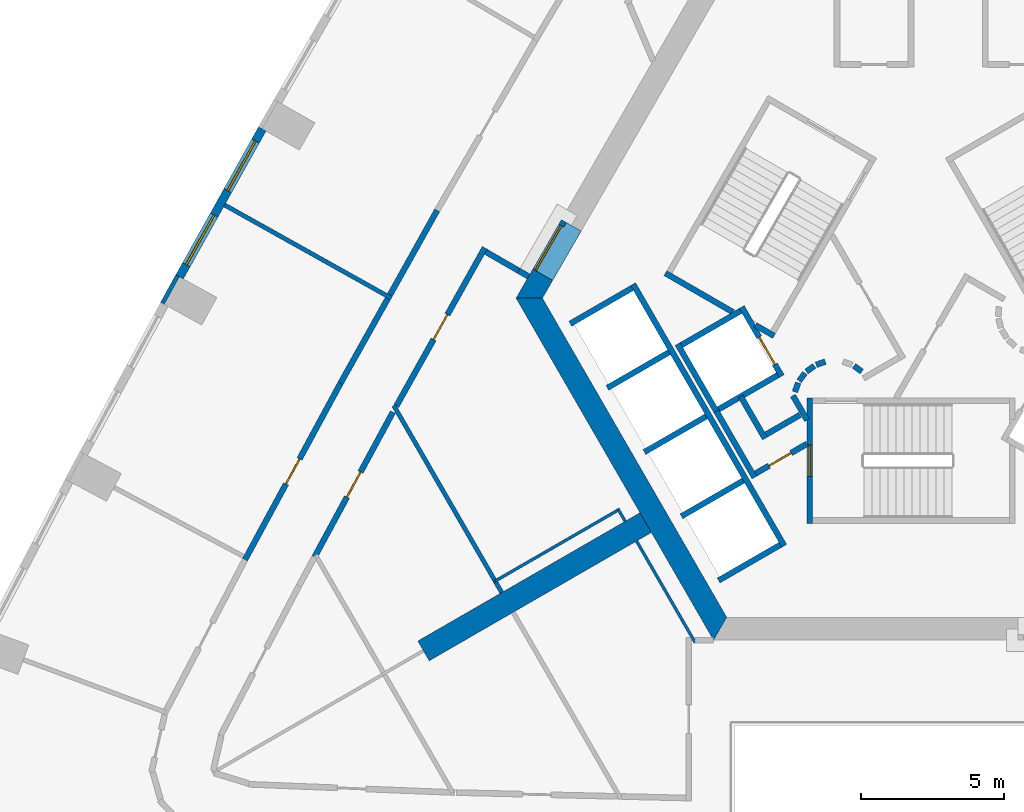
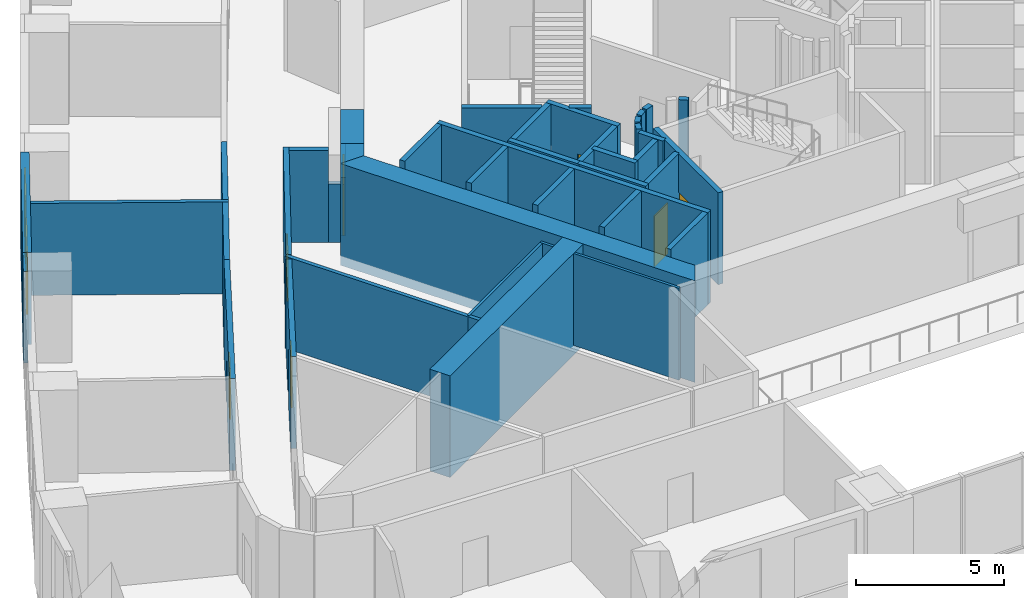
# One storey, part 5 of 12: 43 walls, 7 doors, 2 windows, 9 openings.
"""IFC4 building model written with IfcOpenShell, lengths in metres."""

from ifc_helpers import new_model, si_unit, direction, frame, frame_2d, origin, place, context, subcontext, project, spatial, polyline, rectangle, outline, extrude, material, layer, layer_set, type_object, element, fill, save


model = new_model("IFC4")

# Units and contexts
model_context = context("Model", 3, precision=1e-05, world=origin(), true_north=direction((0.0, 1.0)))
body_context = subcontext(model_context, "Body", "Model", "MODEL_VIEW")
ifc_project = project(units=[si_unit("LENGTHUNIT", "METRE"), si_unit("AREAUNIT", "SQUARE_METRE"), si_unit("VOLUMEUNIT", "CUBIC_METRE"), si_unit("PLANEANGLEUNIT", "RADIAN"), si_unit("MASSUNIT", "GRAM", prefix="KILO")], contexts=[model_context])

# Site, building, storey
site_placement = place(None, origin())
site = spatial("IfcSite", under=ifc_project, at=site_placement, CompositionType="ELEMENT")
building_placement = place(site_placement, origin())
building = spatial("IfcBuilding", under=site, at=building_placement, Name="Entoto Arch Interchange Tower", CompositionType="ELEMENT")
storey_placement = place(building_placement, frame((0.0, 0.0, 142.39990234375)))
storey = spatial("IfcBuildingStorey", under=building, at=storey_placement, Name="L31", CompositionType="ELEMENT", Elevation=142.39990234375)

# Wall
ifc_material_1 = material(Name="Concrete C50/60", Category="concrete")
ifc_layer_1 = layer(ifc_material_1, 0.800048828125)
ifc_layer_set_1 = layer_set([ifc_layer_1], Name="Concrete C50/60")
wall_type_1 = type_object("IfcWallType", Name="Buttress wall 800 C50/60", PredefinedType="SHEAR", material=ifc_layer_set_1)
wall_1_placement = place(storey_placement, frame((-9.31005859375, -5.375, -0.39990234375), z_axis=(0.0, 0.0, 1.0), x_axis=(-0.866017533419, -0.500013631625, 0.0)))
element("IfcWall", 1, at=wall_1_placement, inside=storey, type_object=wall_type_1, Name="Buttress wall SW L31", PredefinedType="SHEAR", context=body_context, shape_type="SweptSolid", body=[
    extrude(rectangle(XDim=8.999755859375, YDim=0.800048828125, at=frame_2d((4.5, 0.0))), origin(), (0.0, 0.0, 1.0), 4.199951171875),
])

# Wall, opening, door
ifc_material_2 = material(Name="Reinforced concrete C40/50", Category="concrete")
ifc_layer_2 = layer(ifc_material_2, 0.199951171875)
ifc_layer_set_2 = layer_set([ifc_layer_2], Name="Reinforced concrete C40/50")
wall_type_2 = type_object("IfcWallType", Name="CORE GAP INFILL WALL", PredefinedType="PARTITIONING", material=ifc_layer_set_2)
wall_2_placement = place(storey_placement, frame((-12.179931640625, 5.201904296875, 0.0), z_axis=(0.0, 0.0, 1.0), x_axis=(-0.50002537861, -0.866010750942, 0.0)))
wall_2 = element("IfcWall", 2, at=wall_2_placement, inside=storey, type_object=wall_type_2, Name="wall:L31:gap3", PredefinedType="PARTITIONING", context=body_context, shape_type="SweptSolid", body=[
    extrude(rectangle(XDim=2.0, YDim=0.199951171875, at=frame_2d((1.0, 0.0))), origin(), (0.0, 0.0, 1.0), 2.400146484375),
])
opening_1_placement = place(wall_2_placement, frame((0.18994140625, 0.0, 0.0)))
opening_1 = element("IfcOpeningElement", 3, at=opening_1_placement, cuts=wall_2, Name="Opening L31-D93", PredefinedType="OPENING", context=body_context, shape_type="SweptSolid", body=[
    extrude(rectangle(XDim=1.800048828125, YDim=2.10009765625, at=frame_2d((0.89990234375, 1.050048828125))), frame((0.0, 0.10986328125, 0.0), z_axis=(0.0, -1.0, 0.0), x_axis=(1.0, 0.0, 0.0)), (0.0, 0.0, 1.0), 0.219970703125),
])
ifc_material_3 = material(Name="Fire-rated Steel S235 door and frame", Category="steel")
door_type_1 = type_object("IfcDoorType", Name="DOOR FD-18 1800x2100", OperationType="DOUBLE_DOOR_SINGLE_SWING", PredefinedType="DOOR", material=ifc_material_3)
door_1_placement = place(opening_1_placement, origin())
door_1 = element("IfcDoor", 4, at=door_1_placement, inside=storey, type_object=door_type_1, Name="door:L31:gap3", OperationType="DOUBLE_DOOR_SINGLE_SWING", OverallHeight=2.10009765625, OverallWidth=1.800048828125, PredefinedType="DOOR", context=body_context, shape_type="SweptSolid", body=[
    extrude(rectangle(XDim=1.800048828125, YDim=2.10009765625, at=frame_2d((0.89990234375, 1.050048828125))), frame((0.0, 0.02490234375, 0.0), z_axis=(0.0, -1.0, 0.0), x_axis=(1.0, 0.0, 0.0)), (0.0, 0.0, 1.0), 0.050048828125),
])
fill(opening_1, door_1)

# Walls
ifc_layer_3 = layer(ifc_material_1, 0.800048828125)
ifc_layer_set_3 = layer_set([ifc_layer_3], Name="Concrete C50/60")
wall_type_3 = type_object("IfcWallType", Name="Core wall 800 C50/60", PredefinedType="SHEAR", material=ifc_layer_set_3)
wall_3_placement = place(storey_placement, frame((0.0, 0.0, -0.39990234375)))
element("IfcWall", 5, at=wall_3_placement, inside=storey, type_object=wall_type_3, Name="Core wall NW L31", PredefinedType="SHEAR", context=body_context, shape_type="SweptSolid", body=[
    extrude(outline(polyline([(-12.574951171875, 3.1201171875), (-13.26708984375, 3.52001953125), (-13.85595703125, 2.5), (-12.93310546875, 2.5), (-12.574951171875, 3.1201171875)])), origin(), (0.0, 0.0, 1.0), 4.199951171875),
])
wall_4_placement = place(storey_placement, frame((0.0, 0.0, 3.60009765625)))
element("IfcWall", 6, at=wall_4_placement, inside=storey, type_object=wall_type_3, Name="Core wall lintel NW L31", PredefinedType="SHEAR", context=body_context, shape_type="SweptSolid", body=[
    extrude(outline(polyline([(-13.26708984375, 3.52001953125), (-12.574951171875, 3.1201171875), (-11.574951171875, 4.85205078125), (-12.26708984375, 5.251953125), (-13.26708984375, 3.52001953125)])), origin(), (0.0, 0.0, 1.0), 0.199951171875),
])
wall_5_placement = place(storey_placement, frame((0.0, 0.0, -0.39990234375)))
element("IfcWall", 7, at=wall_5_placement, inside=storey, type_object=wall_type_3, Name="Core wall SW L31", PredefinedType="SHEAR", context=body_context, shape_type="SweptSolid", body=[
    extrude(outline(polyline([(-13.85595703125, 2.5), (-6.927978515625, -9.5), (-6.466064453125, -8.699951171875), (-12.93310546875, 2.5), (-13.85595703125, 2.5)])), origin(), (0.0, 0.0, 1.0), 4.199951171875),
])

# Wall, opening, door
ifc_material_4 = material(Name="Concrete C40/50", Category="concrete")
ifc_layer_4 = layer(ifc_material_4, 0.199951171875)
ifc_layer_set_4 = layer_set([ifc_layer_4], Name="Concrete C40/50")
wall_type_4 = type_object("IfcWallType", Name="LIFT SHAFT WALL 200", PredefinedType="STANDARD", material=ifc_layer_set_4)
wall_6_placement = place(storey_placement, frame((-5.93994140625, 2.18798828125, 0.0), z_axis=(0.0, 0.0, 1.0), x_axis=(0.49994636267, -0.866056369097, 0.0)))
wall_6 = element("IfcWall", 8, at=wall_6_placement, inside=storey, type_object=wall_type_4, Name="Shaft wall SW1 front", PredefinedType="STANDARD", context=body_context, shape_type="SweptSolid", body=[
    extrude(rectangle(XDim=2.800048828125, YDim=0.199951171875, at=frame_2d((1.39990234375, 0.0))), origin(), (0.0, 0.0, 1.0), 3.800048828125),
])
opening_2_placement = place(wall_6_placement, frame((1.22509765625, 0.0, 0.0)))
opening_2 = element("IfcOpeningElement", 9, at=opening_2_placement, cuts=wall_6, Name="Opening LD-FF2-L31", PredefinedType="OPENING", context=body_context, shape_type="SweptSolid", body=[
    extrude(rectangle(XDim=1.10009765625, YDim=2.10009765625, at=frame_2d((0.550048828125, 1.050048828125))), frame((0.0, 0.10986328125, 0.0), z_axis=(0.0, -1.0, 0.0), x_axis=(1.0, 0.0, 0.0)), (0.0, 0.0, 1.0), 0.219970703125),
])
ifc_material_5 = material(Name="Stainless steel 1.4301 panels", Category="steel")
door_type_2 = type_object("IfcDoorType", Name="LIFT LANDING DOOR LD1 1100x2100", OperationType="SLIDING_TO_LEFT", PredefinedType="DOOR", material=ifc_material_5)
door_2_placement = place(opening_2_placement, origin())
door_2 = element("IfcDoor", 10, at=door_2_placement, inside=storey, type_object=door_type_2, Name="Lift landing door FF2 L31", OperationType="SLIDING_TO_LEFT", OverallHeight=2.10009765625, OverallWidth=1.10009765625, PredefinedType="DOOR", context=body_context, shape_type="SweptSolid", body=[
    extrude(rectangle(XDim=1.10009765625, YDim=2.10009765625, at=frame_2d((0.550048828125, 1.050048828125))), frame((0.0, 0.02490234375, 0.0), z_axis=(0.0, -1.0, 0.0), x_axis=(1.0, 0.0, 0.0)), (0.0, 0.0, 1.0), 0.050048828125),
])
fill(opening_2, door_2)

# Walls
wall_7_placement = place(storey_placement, frame((-8.19189453125, 0.887939453125, 0.0), z_axis=(0.0, 0.0, 1.0), x_axis=(0.49994636267, -0.866056369097, 0.0)))
element("IfcWall", 11, at=wall_7_placement, inside=storey, type_object=wall_type_4, Name="Shaft wall SW1 back", PredefinedType="STANDARD", context=body_context, shape_type="SweptSolid", body=[
    extrude(rectangle(XDim=2.800048828125, YDim=0.199951171875, at=frame_2d((1.39990234375, 0.0))), origin(), (0.0, 0.0, 1.0), 3.800048828125),
])
for number, where, z_axis, x_axis, name in (
    (12, (-5.97705078125, 2.052001953125, 0.0), (0.0, 0.0, 1.0), (-0.865973769406, -0.500089422704, 0.0), "Shaft wall SW1 cross 1"),
    (13, (-4.677001953125, -0.199951171875, 0.0), (0.0, 0.0, 1.0), (-0.865973769406, -0.500089422704, 0.0), "Shaft wall SW1 cross 2"),
):
    element("IfcWall", number, at=place(storey_placement, frame(where, z_axis=z_axis, x_axis=x_axis)), inside=storey, type_object=wall_type_4, Name=name, PredefinedType="STANDARD", context=body_context, shape_type="SweptSolid", body=[
        extrude(rectangle(XDim=2.3994140625, YDim=0.199951171875, at=frame_2d((1.19970703125, 0.0))), origin(), (0.0, 0.0, 1.0), 3.800048828125),
    ])
wall_8_placement = place(storey_placement, frame((-9.7509765625, 2.989990234375, 0.0), z_axis=(0.0, 0.0, 1.0), x_axis=(0.50000090737, -0.866024879913, 0.0)))
element("IfcWall", 14, at=wall_8_placement, inside=storey, type_object=wall_type_4, Name="Shaft wall SW3 front", PredefinedType="STANDARD", context=body_context, shape_type="SweptSolid", body=[
    extrude(rectangle(XDim=10.60009765625, YDim=0.199951171875, at=frame_2d((5.300048828125, 0.0))), origin(), (0.0, 0.0, 1.0), 3.800048828125),
])
wall_9_placement = place(storey_placement, frame((-9.7880859375, 2.85302734375, 0.0), z_axis=(0.0, 0.0, 1.0), x_axis=(-0.865998541277, -0.500046524342, 0.0)))
element("IfcWall", 15, at=wall_9_placement, inside=storey, type_object=wall_type_4, Name="Shaft wall SW3 cross 1", PredefinedType="STANDARD", context=body_context, shape_type="SweptSolid", body=[
    extrude(rectangle(XDim=2.499755859375, YDim=0.199951171875, at=frame_2d((1.25, 0.0))), origin(), (0.0, 0.0, 1.0), 3.800048828125),
])
for number, where, z_axis, x_axis, name in (
    (16, (-8.488037109375, 0.60205078125, 0.0), (0.0, 0.0, 1.0), (-0.866022959057, -0.500004234368, 0.0), "Shaft wall SW3 cross 2"),
    (17, (-7.18798828125, -1.64990234375, 0.0), (0.0, 0.0, 1.0), (-0.866022959057, -0.500004234368, 0.0), "Shaft wall SW3 cross 3"),
    (18, (-5.887939453125, -3.902099609375, 0.0), (0.0, 0.0, 1.0), (-0.866022959057, -0.500004234368, 0.0), "Shaft wall SW3 cross 4"),
    (19, (-4.587890625, -6.153076171875, 0.0), (0.0, 0.0, 1.0), (-0.866022959057, -0.500004234368, 0.0), "Shaft wall SW3 cross 5"),
):
    element("IfcWall", number, at=place(storey_placement, frame(where, z_axis=z_axis, x_axis=x_axis)), inside=storey, type_object=wall_type_4, Name=name, PredefinedType="STANDARD", context=body_context, shape_type="SweptSolid", body=[
        extrude(rectangle(XDim=2.5, YDim=0.199951171875, at=frame_2d((1.25, 0.0))), origin(), (0.0, 0.0, 1.0), 3.800048828125),
    ])
ifc_material_6 = material(Name="Gypsum board partition on steel studs", Category="steel")
ifc_layer_5 = layer(ifc_material_6, 0.10009765625)
ifc_layer_set_5 = layer_set([ifc_layer_5], Name="Gypsum board partition on steel studs")
wall_type_5 = type_object("IfcWallType", Name="PARTITION 100", PredefinedType="PARTITIONING", material=ifc_layer_set_5)
wall_10_placement = place(storey_placement, frame((-7.572021484375, -9.5859375, 0.0), z_axis=(0.0, 0.0, 1.0), x_axis=(-0.500037407586, 0.866003805427, 0.0)))
element("IfcWall", 20, at=wall_10_placement, inside=storey, type_object=wall_type_5, Name="wall:L31:p114", PredefinedType="PARTITIONING", context=body_context, shape_type="SweptSolid", body=[
    extrude(rectangle(XDim=4.115478515625, YDim=0.10009765625, at=frame_2d((2.0576171875, 0.0))), origin(), (0.0, 0.0, 1.0), 3.800048828125),
])
wall_11_placement = place(storey_placement, frame((-10.304931640625, -4.950927734375, 0.0), z_axis=(0.0, 0.0, 1.0), x_axis=(-0.866031185235, -0.4999899861, 0.0)))
element("IfcWall", 21, at=wall_11_placement, inside=storey, type_object=wall_type_5, Name="wall:L31:p115", PredefinedType="PARTITIONING", context=body_context, shape_type="SweptSolid", body=[
    extrude(rectangle(XDim=4.9501953125, YDim=0.10009765625, at=frame_2d((2.47509765625, 0.0))), origin(), (0.0, 0.0, 1.0), 3.800048828125),
])
wall_12_placement = place(storey_placement, frame((-10.030029296875, -5.3291015625, 0.0), z_axis=(0.0, 0.0, 1.0), x_axis=(-0.499352927503, 0.866398669086, 0.0)))
element("IfcWall", 22, at=wall_12_placement, inside=storey, type_object=wall_type_5, Name="wall:L31:p114", PredefinedType="PARTITIONING", context=body_context, shape_type="SweptSolid", body=[
    extrude(rectangle(XDim=0.514892578125, YDim=0.10009765625, at=frame_2d((0.25732421875, 0.0))), origin(), (0.0, 0.0, 1.0), 3.800048828125),
])
ifc_layer_6 = layer(ifc_material_6, 0.14990234375)
ifc_layer_set_6 = layer_set([ifc_layer_6], Name="Gypsum board partition on steel studs")
wall_type_6 = type_object("IfcWallType", Name="PARTITION 150", PredefinedType="PARTITIONING", material=ifc_layer_set_6)
wall_13_placement = place(storey_placement, frame((-14.56689453125, -7.468994140625, 0.0), z_axis=(0.0, 0.0, 1.0), x_axis=(-0.500056007527, 0.865993065409, 0.0)))
element("IfcWall", 23, at=wall_13_placement, inside=storey, type_object=wall_type_6, Name="wall:L31:p116", PredefinedType="PARTITIONING", context=body_context, shape_type="SweptSolid", body=[
    extrude(rectangle(XDim=7.159423828125, YDim=0.14990234375, at=frame_2d((3.57958984375, 0.0))), origin(), (0.0, 0.0, 1.0), 3.800048828125),
])
wall_14_placement = place(storey_placement, frame((-14.35888671875, -7.827880859375, 0.0), z_axis=(0.0, 0.0, 1.0), x_axis=(-0.501453821755, 0.865184410775, 0.0)))
element("IfcWall", 24, at=wall_14_placement, inside=storey, type_object=wall_type_6, Name="wall:L31:p117", PredefinedType="PARTITIONING", context=body_context, shape_type="SweptSolid", body=[
    extrude(rectangle(XDim=0.414794921875, YDim=0.14990234375, at=frame_2d((0.20751953125, 0.0))), origin(), (0.0, 0.0, 1.0), 3.800048828125),
])
wall_15_placement = place(storey_placement, frame((-18.23388671875, 2.4970703125, 0.0), z_axis=(0.0, 0.0, 1.0), x_axis=(-0.872820235044, 0.4880418397, 0.0)))
element("IfcWall", 25, at=wall_15_placement, inside=storey, type_object=wall_type_6, Name="wall:L31:p135", PredefinedType="PARTITIONING", context=body_context, shape_type="SweptSolid", body=[
    extrude(rectangle(XDim=6.7001953125, YDim=0.14990234375, at=frame_2d((3.35009765625, 0.0))), origin(), (0.0, 0.0, 1.0), 3.800048828125),
])
ifc_layer_7 = layer(ifc_material_6, 0.199951171875)
ifc_layer_set_7 = layer_set([ifc_layer_7], Name="Gypsum board partition on steel studs")
wall_type_7 = type_object("IfcWallType", Name="PARTITION 200", PredefinedType="PARTITIONING", material=ifc_layer_set_7)
wall_16_placement = place(storey_placement, frame((-13.4169921875, 3.260009765625, 0.0), z_axis=(0.0, 0.0, 1.0), x_axis=(-0.866398669086, 0.499352927503, 0.0)))
element("IfcWall", 26, at=wall_16_placement, inside=storey, type_object=wall_type_7, Name="wall:L31:p022", PredefinedType="PARTITIONING", context=body_context, shape_type="SweptSolid", body=[
    extrude(rectangle(XDim=0.400390625, YDim=0.199951171875, at=frame_2d((0.2001953125, 0.0))), origin(), (0.0, 0.0, 1.0), 2.400146484375),
])

# Wall, opening, door
wall_17_placement = place(storey_placement, frame((-14.955078125, 4.263916015625, 0.0), z_axis=(0.0, 0.0, 1.0), x_axis=(-0.4879770011, -0.872856486713, 0.0)))
wall_17 = element("IfcWall", 27, at=wall_17_placement, inside=storey, type_object=wall_type_7, Name="wall:L31:p023", PredefinedType="PARTITIONING", context=body_context, shape_type="SweptSolid", body=[
    extrude(rectangle(XDim=6.363037109375, YDim=0.199951171875, at=frame_2d((3.181640625, 0.0))), origin(), (0.0, 0.0, 1.0), 3.800048828125),
])
opening_3_placement = place(wall_17_placement, frame((2.680908203125, 0.0, 0.0)))
opening_3 = element("IfcOpeningElement", 28, at=opening_3_placement, cuts=wall_17, Name="Opening L31-D24", PredefinedType="OPENING", context=body_context, shape_type="SweptSolid", body=[
    extrude(rectangle(XDim=1.0, YDim=2.10009765625, at=frame_2d((0.5, 1.050048828125))), frame((0.0, 0.10986328125, 0.0), z_axis=(0.0, -1.0, 0.0), x_axis=(1.0, 0.0, 0.0)), (0.0, 0.0, 1.0), 0.219970703125),
])
ifc_material_7 = material(Name="Timber door leaf in Steel S235 frame", Category="steel")
door_type_3 = type_object("IfcDoorType", Name="DOOR DS-10 1000x2100", OperationType="SINGLE_SWING_LEFT", PredefinedType="DOOR", material=ifc_material_7)
door_3_placement = place(opening_3_placement, origin())
door_3 = element("IfcDoor", 29, at=door_3_placement, inside=storey, type_object=door_type_3, Name="door:L31:24", OperationType="SINGLE_SWING_LEFT", OverallHeight=2.10009765625, OverallWidth=1.0, PredefinedType="DOOR", context=body_context, shape_type="SweptSolid", body=[
    extrude(rectangle(XDim=1.0, YDim=2.10009765625, at=frame_2d((0.5, 1.050048828125))), frame((0.0, 0.02490234375, 0.0), z_axis=(0.0, -1.0, 0.0), x_axis=(1.0, 0.0, 0.0)), (0.0, 0.0, 1.0), 0.050048828125),
])
fill(opening_3, door_3)

wall_18_placement = place(storey_placement, frame((-18.177978515625, -1.5009765625, 0.0), z_axis=(0.0, 0.0, 1.0), x_axis=(-0.475923642768, -0.879486603795, 0.0)))
wall_18 = element("IfcWall", 30, at=wall_18_placement, inside=storey, type_object=wall_type_7, Name="wall:L31:p025", PredefinedType="PARTITIONING", context=body_context, shape_type="SweptSolid", body=[
    extrude(rectangle(XDim=5.776123046875, YDim=0.199951171875, at=frame_2d((2.88818359375, 0.0))), origin(), (0.0, 0.0, 1.0), 3.800048828125),
])
opening_4_placement = place(wall_18_placement, frame((2.387939453125, 0.0, 0.0)))
opening_4 = element("IfcOpeningElement", 31, at=opening_4_placement, cuts=wall_18, Name="Opening L31-D26", PredefinedType="OPENING", context=body_context, shape_type="SweptSolid", body=[
    extrude(rectangle(XDim=1.0, YDim=2.10009765625, at=frame_2d((0.5, 1.050048828125))), frame((0.0, 0.10986328125, 0.0), z_axis=(0.0, -1.0, 0.0), x_axis=(1.0, 0.0, 0.0)), (0.0, 0.0, 1.0), 0.219970703125),
])
door_4_placement = place(opening_4_placement, origin())
door_4 = element("IfcDoor", 32, at=door_4_placement, inside=storey, type_object=door_type_3, Name="door:L31:26", OperationType="SINGLE_SWING_LEFT", OverallHeight=2.10009765625, OverallWidth=1.0, PredefinedType="DOOR", context=body_context, shape_type="SweptSolid", body=[
    extrude(rectangle(XDim=1.0, YDim=2.10009765625, at=frame_2d((0.5, 1.050048828125))), frame((0.0, 0.02490234375, 0.0), z_axis=(0.0, -1.0, 0.0), x_axis=(1.0, 0.0, 0.0)), (0.0, 0.0, 1.0), 0.050048828125),
])
fill(opening_4, door_4)

# Wall
wall_19_placement = place(storey_placement, frame((-18.283935546875, 2.612060546875, 0.0), z_axis=(0.0, 0.0, 1.0), x_axis=(0.487871212611, 0.872915620152, 0.0)))
element("IfcWall", 33, at=wall_19_placement, inside=storey, type_object=wall_type_7, Name="wall:L31:p055", PredefinedType="PARTITIONING", context=body_context, shape_type="SweptSolid", body=[
    extrude(rectangle(XDim=3.40234375, YDim=0.199951171875, at=frame_2d((1.701171875, 0.0))), origin(), (0.0, 0.0, 1.0), 3.800048828125),
])

# Wall, opening, door
wall_20_placement = place(storey_placement, frame((-23.364990234375, -6.673095703125, 0.0), z_axis=(0.0, 0.0, 1.0), x_axis=(0.47597665142, 0.879457916732, 0.0)))
wall_20 = element("IfcWall", 34, at=wall_20_placement, inside=storey, type_object=wall_type_7, Name="wall:L31:p057", PredefinedType="PARTITIONING", context=body_context, shape_type="SweptSolid", body=[
    extrude(rectangle(XDim=7.03173828125, YDim=0.199951171875, at=frame_2d((3.515869140625, 0.0))), origin(), (0.0, 0.0, 1.0), 3.800048828125),
])
opening_5_placement = place(wall_20_placement, frame((3.01611328125, 0.0, 0.0)))
opening_5 = element("IfcOpeningElement", 35, at=opening_5_placement, cuts=wall_20, Name="Opening L31-D14", PredefinedType="OPENING", context=body_context, shape_type="SweptSolid", body=[
    extrude(rectangle(XDim=1.0, YDim=2.10009765625, at=frame_2d((0.5, 1.050048828125))), frame((0.0, 0.10986328125, 0.0), z_axis=(0.0, -1.0, 0.0), x_axis=(1.0, 0.0, 0.0)), (0.0, 0.0, 1.0), 0.219970703125),
])
door_5_placement = place(opening_5_placement, origin())
door_5 = element("IfcDoor", 36, at=door_5_placement, inside=storey, type_object=door_type_3, Name="door:L31:14", OperationType="SINGLE_SWING_LEFT", OverallHeight=2.10009765625, OverallWidth=1.0, PredefinedType="DOOR", context=body_context, shape_type="SweptSolid", body=[
    extrude(rectangle(XDim=1.0, YDim=2.10009765625, at=frame_2d((0.5, 1.050048828125))), frame((0.0, 0.02490234375, 0.0), z_axis=(0.0, -1.0, 0.0), x_axis=(1.0, 0.0, 0.0)), (0.0, 0.0, 1.0), 0.050048828125),
])
fill(opening_5, door_5)

# Walls
wall_21_placement = place(storey_placement, frame((-20.01806640625, -0.489013671875, 0.0), z_axis=(0.0, 0.0, 1.0), x_axis=(0.48792588674, 0.872885060617, 0.0)))
element("IfcWall", 37, at=wall_21_placement, inside=storey, type_object=wall_type_7, Name="wall:L31:p058", PredefinedType="PARTITIONING", context=body_context, shape_type="SweptSolid", body=[
    extrude(rectangle(XDim=3.402587890625, YDim=0.199951171875, at=frame_2d((1.701171875, 0.0))), origin(), (0.0, 0.0, 1.0), 3.800048828125),
])
wall_22_placement = place(storey_placement, frame((-3.89990234375, -1.59912109375, 0.0), z_axis=(0.0, 0.0, 1.0), x_axis=(-0.865969445389, -0.500096910261, 0.0)))
element("IfcWall", 38, at=wall_22_placement, inside=storey, type_object=wall_type_7, Name="wall:L31:p080", PredefinedType="PARTITIONING", context=body_context, shape_type="SweptSolid", body=[
    extrude(rectangle(XDim=1.373291015625, YDim=0.199951171875, at=frame_2d((0.6865234375, 0.0))), origin(), (0.0, 0.0, 1.0), 3.800048828125),
])
wall_23_placement = place(storey_placement, frame((-5.1259765625, -2.422119140625, 0.0), z_axis=(0.0, 0.0, 1.0), x_axis=(-0.500062241894, 0.865989465428, 0.0)))
element("IfcWall", 39, at=wall_23_placement, inside=storey, type_object=wall_type_7, Name="wall:L31:p081", PredefinedType="PARTITIONING", context=body_context, shape_type="SweptSolid", body=[
    extrude(rectangle(XDim=1.699951171875, YDim=0.199951171875, at=frame_2d((0.85009765625, 0.0))), origin(), (0.0, 0.0, 1.0), 3.800048828125),
])

# Wall, opening, door
wall_24_placement = place(storey_placement, frame((-3.64990234375, -2.610107421875, 0.0), z_axis=(0.0, 0.0, 1.0), x_axis=(-0.866072462134, -0.499918483688, 0.0)))
wall_24 = element("IfcWall", 40, at=wall_24_placement, inside=storey, type_object=wall_type_7, Name="wall:L31:p082", PredefinedType="PARTITIONING", context=body_context, shape_type="SweptSolid", body=[
    extrude(rectangle(XDim=2.084228515625, YDim=0.199951171875, at=frame_2d((1.0419921875, 0.0))), origin(), (0.0, 0.0, 1.0), 3.800048828125),
])
opening_6_placement = place(wall_24_placement, frame((0.64208984375, 0.0, 0.0)))
opening_6 = element("IfcOpeningElement", 41, at=opening_6_placement, cuts=wall_24, Name="Opening L31-D36", PredefinedType="OPENING", context=body_context, shape_type="SweptSolid", body=[
    extrude(rectangle(XDim=0.89990234375, YDim=2.10009765625, at=frame_2d((0.449951171875, 1.050048828125))), frame((0.0, 0.10986328125, 0.0), z_axis=(0.0, -1.0, 0.0), x_axis=(1.0, 0.0, 0.0)), (0.0, 0.0, 1.0), 0.219970703125),
])
door_type_4 = type_object("IfcDoorType", Name="DOOR DS-09 900x2100", OperationType="SINGLE_SWING_LEFT", PredefinedType="DOOR", material=ifc_material_7)
door_6_placement = place(opening_6_placement, origin())
door_6 = element("IfcDoor", 42, at=door_6_placement, inside=storey, type_object=door_type_4, Name="door:L31:36", OperationType="SINGLE_SWING_LEFT", OverallHeight=2.10009765625, OverallWidth=0.89990234375, PredefinedType="DOOR", context=body_context, shape_type="SweptSolid", body=[
    extrude(rectangle(XDim=0.89990234375, YDim=2.10009765625, at=frame_2d((0.449951171875, 1.050048828125))), frame((0.0, 0.02490234375, 0.0), z_axis=(0.0, -1.0, 0.0), x_axis=(1.0, 0.0, 0.0)), (0.0, 0.0, 1.0), 0.050048828125),
])
fill(opening_6, door_6)

# Walls
wall_25_placement = place(storey_placement, frame((-5.491943359375, -3.7880859375, 0.0), z_axis=(0.0, 0.0, 1.0), x_axis=(-0.500008949224, 0.866020236886, 0.0)))
element("IfcWall", 43, at=wall_25_placement, inside=storey, type_object=wall_type_7, Name="wall:L31:p083", PredefinedType="PARTITIONING", context=body_context, shape_type="SweptSolid", body=[
    extrude(rectangle(XDim=2.68017578125, YDim=0.199951171875, at=frame_2d((1.340087890625, 0.0))), origin(), (0.0, 0.0, 1.0), 3.800048828125),
])
wall_26_placement = place(storey_placement, frame((-4.14501953125, -0.919921875, 0.0), z_axis=(0.0, 0.0, 1.0), x_axis=(0.499743786207, -0.866173278362, 0.0)))
element("IfcWall", 44, at=wall_26_placement, inside=storey, type_object=wall_type_7, Name="wall:L31:p084", PredefinedType="PARTITIONING", context=body_context, shape_type="SweptSolid", body=[
    extrude(rectangle(XDim=0.99072265625, YDim=0.199951171875, at=frame_2d((0.495361328125, 0.0))), origin(), (0.0, 0.0, 1.0), 3.800048828125),
])
wall_27_placement = place(storey_placement, frame((-1.73095703125, -0.076904296875, 0.0), z_axis=(0.0, 0.0, 1.0), x_axis=(-0.804311165252, 0.594208338422, 0.0)))
element("IfcWall", 45, at=wall_27_placement, inside=storey, type_object=wall_type_7, Name="wall:L31:p097", PredefinedType="PARTITIONING", context=body_context, shape_type="SweptSolid", body=[
    extrude(rectangle(XDim=0.338134765625, YDim=0.199951171875, at=frame_2d((0.1689453125, 0.0))), origin(), (0.0, 0.0, 1.0), 3.800048828125),
])
wall_28_placement = place(storey_placement, frame((-3.011962890625, 0.27294921875, 0.0), z_axis=(0.0, 0.0, 1.0), x_axis=(-0.942280615813, -0.334824194261, 0.0)))
element("IfcWall", 46, at=wall_28_placement, inside=storey, type_object=wall_type_7, Name="wall:L31:p099", PredefinedType="PARTITIONING", context=body_context, shape_type="SweptSolid", body=[
    extrude(rectangle(XDim=0.337646484375, YDim=0.199951171875, at=frame_2d((0.1689453125, 0.0))), origin(), (0.0, 0.0, 1.0), 3.800048828125),
])
wall_29_placement = place(storey_placement, frame((-3.39697265625, 0.1240234375, 0.0), z_axis=(0.0, 0.0, 1.0), x_axis=(-0.804311165252, -0.594208338422, 0.0)))
element("IfcWall", 47, at=wall_29_placement, inside=storey, type_object=wall_type_7, Name="wall:L31:p100", PredefinedType="PARTITIONING", context=body_context, shape_type="SweptSolid", body=[
    extrude(rectangle(XDim=0.338134765625, YDim=0.199951171875, at=frame_2d((0.1689453125, 0.0))), origin(), (0.0, 0.0, 1.0), 3.800048828125),
])
wall_30_placement = place(storey_placement, frame((-3.722900390625, -0.131103515625, 0.0), z_axis=(0.0, 0.0, 1.0), x_axis=(-0.594675113454, -0.803966112121, 0.0)))
element("IfcWall", 48, at=wall_30_placement, inside=storey, type_object=wall_type_7, Name="wall:L31:p101", PredefinedType="PARTITIONING", context=body_context, shape_type="SweptSolid", body=[
    extrude(rectangle(XDim=0.33837890625, YDim=0.199951171875, at=frame_2d((0.169189453125, 0.0))), origin(), (0.0, 0.0, 1.0), 3.800048828125),
])
wall_31_placement = place(storey_placement, frame((-3.9599609375, -0.469970703125, 0.0), z_axis=(0.0, 0.0, 1.0), x_axis=(-0.334824194261, -0.942280615813, 0.0)))
element("IfcWall", 49, at=wall_31_placement, inside=storey, type_object=wall_type_7, Name="wall:L31:p102", PredefinedType="PARTITIONING", context=body_context, shape_type="SweptSolid", body=[
    extrude(rectangle(XDim=0.337646484375, YDim=0.199951171875, at=frame_2d((0.1689453125, 0.0))), origin(), (0.0, 0.0, 1.0), 3.800048828125),
])
wall_32_placement = place(storey_placement, frame((-13.763916015625, 3.4599609375, 0.0), z_axis=(0.0, 0.0, 1.0), x_axis=(-0.865932130826, 0.500161518715, 0.0)))
element("IfcWall", 50, at=wall_32_placement, inside=storey, type_object=wall_type_7, Name="wall:L31:p022", PredefinedType="PARTITIONING", context=body_context, shape_type="SweptSolid", body=[
    extrude(rectangle(XDim=1.33154296875, YDim=0.199951171875, at=frame_2d((0.665771484375, 0.0))), origin(), (0.0, 0.0, 1.0), 3.800048828125),
])

# Wall, opening, door
ifc_layer_8 = layer(ifc_material_4, 0.199951171875)
ifc_layer_set_8 = layer_set([ifc_layer_8], Name="Concrete C40/50")
wall_type_8 = type_object("IfcWallType", Name="STAIR ENCLOSURE WALL 200", PredefinedType="STANDARD", material=ifc_layer_set_8)
wall_33_placement = place(storey_placement, frame((-3.550048828125, -1.0, 0.0), z_axis=(0.0, 0.0, 1.0), x_axis=(0.0, -1.0, 0.0)))
wall_33 = element("IfcWall", 51, at=wall_33_placement, inside=storey, type_object=wall_type_8, Name="Stair wall ST-S near", PredefinedType="STANDARD", context=body_context, shape_type="SweptSolid", body=[
    extrude(rectangle(XDim=4.39990234375, YDim=0.199951171875, at=frame_2d((2.199951171875, 0.0))), origin(), (0.0, 0.0, 1.0), 3.800048828125),
])
opening_7_placement = place(wall_33_placement, frame((1.64990234375, 0.0, 0.0)))
opening_7 = element("IfcOpeningElement", 52, at=opening_7_placement, cuts=wall_33, Name="Opening SD-ST-S-L31-E", PredefinedType="OPENING", context=body_context, shape_type="SweptSolid", body=[
    extrude(rectangle(XDim=1.10009765625, YDim=2.199951171875, at=frame_2d((0.550048828125, 1.10009765625))), frame((0.0, 0.10986328125, 0.0), z_axis=(0.0, -1.0, 0.0), x_axis=(1.0, 0.0, 0.0)), (0.0, 0.0, 1.0), 0.219970703125),
])
ifc_material_8 = material(Name="Steel S235", Category="steel")
door_type_5 = type_object("IfcDoorType", Name="STAIR DOOR SD1 1100x2200", OperationType="SINGLE_SWING_LEFT", PredefinedType="DOOR", material=ifc_material_8)
door_7_placement = place(opening_7_placement, origin())
door_7 = element("IfcDoor", 53, at=door_7_placement, inside=storey, type_object=door_type_5, Name="Stair door ST-S L31 end", OperationType="SINGLE_SWING_LEFT", OverallHeight=2.199951171875, OverallWidth=1.10009765625, PredefinedType="DOOR", context=body_context, shape_type="SweptSolid", body=[
    extrude(rectangle(XDim=1.10009765625, YDim=2.199951171875, at=frame_2d((0.550048828125, 1.10009765625))), frame((0.0, 0.02490234375, 0.0), z_axis=(0.0, -1.0, 0.0), x_axis=(1.0, 0.0, 0.0)), (0.0, 0.0, 1.0), 0.050048828125),
])
fill(opening_7, door_7)

# Walls
wall_34_placement = place(storey_placement, frame((-6.25, 2.010009765625, 0.0), z_axis=(0.0, 0.0, 1.0), x_axis=(-0.86611865017, 0.499838457731, 0.0)))
element("IfcWall", 54, at=wall_34_placement, inside=storey, type_object=wall_type_8, Name="Stair wall ST-NW far", PredefinedType="STANDARD", context=body_context, shape_type="SweptSolid", body=[
    extrude(rectangle(XDim=2.73291015625, YDim=0.199951171875, at=frame_2d((1.366455078125, 0.0))), origin(), (0.0, 0.0, 1.0), 3.800048828125),
])
wall_35_placement = place(storey_placement, frame((-4.805908203125, 1.176025390625, 0.0), z_axis=(0.0, 0.0, 1.0), x_axis=(-0.866558586415, 0.499075361355, 0.0)))
element("IfcWall", 55, at=wall_35_placement, inside=storey, type_object=wall_type_8, Name="Stair wall ST-NW far return", PredefinedType="STANDARD", context=body_context, shape_type="SweptSolid", body=[
    extrude(rectangle(XDim=0.75146484375, YDim=0.199951171875, at=frame_2d((0.375732421875, 0.0))), origin(), (0.0, 0.0, 1.0), 3.800048828125),
])

# Wall, openings, windows
ifc_material_9 = material(Name="Welded tuff (ignimbrite) cladding, warm buff", Category="masonry")
ifc_layer_9 = layer(ifc_material_9, 0.300048828125)
ifc_layer_set_9 = layer_set([ifc_layer_9], Name="Welded tuff (ignimbrite) cladding, warm buff")
wall_type_9 = type_object("IfcWallType", Name="STONE INFILL WALL 300", PredefinedType="STANDARD", material=ifc_layer_set_9)
wall_36_placement = place(storey_placement, frame((-22.760986328125, 8.43798828125, 0.0), z_axis=(0.0, 0.0, 1.0), x_axis=(-0.488009846284, -0.872838123555, 0.0)))
wall_36 = element("IfcWall", 56, at=wall_36_placement, inside=storey, type_object=wall_type_9, Name="Facade wall NW-05 L31", PredefinedType="STANDARD", context=body_context, shape_type="SweptSolid", body=[
    extrude(rectangle(XDim=5.950927734375, YDim=0.300048828125, at=frame_2d((2.9755859375, 0.0))), origin(), (0.0, 0.0, 1.0), 3.800048828125),
])
opening_8_placement = place(wall_36_placement, frame((0.488037109375, 0.0, 0.89990234375)))
opening_8 = element("IfcOpeningElement", 57, at=opening_8_placement, cuts=wall_36, Name="Opening WO-C", PredefinedType="OPENING", context=body_context, shape_type="SweptSolid", body=[
    extrude(rectangle(XDim=2.0, YDim=2.60009765625, at=frame_2d((1.0, 1.300048828125))), frame((0.0, 0.16015625, 0.0), z_axis=(0.0, -1.0, 0.0), x_axis=(1.0, 0.0, 0.0)), (0.0, 0.0, 1.0), 0.320068359375),
])
opening_9_placement = place(wall_36_placement, frame((3.462890625, 0.0, 0.89990234375)))
opening_9 = element("IfcOpeningElement", 58, at=opening_9_placement, cuts=wall_36, Name="Opening WO-C", PredefinedType="OPENING", context=body_context, shape_type="SweptSolid", body=[
    extrude(rectangle(XDim=2.0, YDim=2.60009765625, at=frame_2d((1.0, 1.300048828125))), frame((0.0, 0.16015625, 0.0), z_axis=(0.0, -1.0, 0.0), x_axis=(1.0, 0.0, 0.0)), (0.0, 0.0, 1.0), 0.320068359375),
])
ifc_material_10 = material(Name="Clear glass, low-e double glazed", Category="glass")
window_type = type_object("IfcWindowType", Name="WINDOW WO-C 2000x2600", PartitioningType="DOUBLE_PANEL_VERTICAL", PredefinedType="WINDOW", material=ifc_material_10)
window_1_placement = place(opening_8_placement, origin())
window_1 = element("IfcWindow", 59, at=window_1_placement, inside=storey, type_object=window_type, Name="Window WO-C NW-05 L31", OverallHeight=2.60009765625, OverallWidth=2.0, PartitioningType="SINGLE_PANEL", PredefinedType="WINDOW", context=body_context, shape_type="SweptSolid", body=[
    extrude(rectangle(XDim=2.0, YDim=2.60009765625, at=frame_2d((1.0, 1.300048828125))), frame((0.0, 0.030029296875, 0.0), z_axis=(0.0, -1.0, 0.0), x_axis=(1.0, 0.0, 0.0)), (0.0, 0.0, 1.0), 0.06005859375),
])
fill(opening_8, window_1)
window_2_placement = place(opening_9_placement, origin())
window_2 = element("IfcWindow", 60, at=window_2_placement, inside=storey, type_object=window_type, Name="Window WO-C NW-05 L31", OverallHeight=2.60009765625, OverallWidth=2.0, PartitioningType="SINGLE_PANEL", PredefinedType="WINDOW", context=body_context, shape_type="SweptSolid", body=[
    extrude(rectangle(XDim=2.0, YDim=2.60009765625, at=frame_2d((1.0, 1.300048828125))), frame((0.0, 0.030029296875, 0.0), z_axis=(0.0, -1.0, 0.0), x_axis=(1.0, 0.0, 0.0)), (0.0, 0.0, 1.0), 0.06005859375),
])
fill(opening_9, window_2)

# Wall
ifc_layer_10 = layer(ifc_material_9, 0.14990234375)
ifc_layer_set_10 = layer_set([ifc_layer_10], Name="Welded tuff (ignimbrite) cladding, warm buff")
wall_type_10 = type_object("IfcWallType", Name="STONE PIER CLADDING 150", PredefinedType="STANDARD", material=ifc_layer_set_10)
wall_37_placement = place(storey_placement, frame((-25.73291015625, 3.282958984375, 0.0), z_axis=(0.0, 0.0, 1.0), x_axis=(-0.481850587491, -0.876253394478, 0.0)))
element("IfcWall", 61, at=wall_37_placement, inside=storey, type_object=wall_type_10, Name="Stone pier NW06 L31", PredefinedType="STANDARD", context=body_context, shape_type="SweptSolid", body=[
    extrude(rectangle(XDim=1.10009765625, YDim=0.14990234375, at=frame_2d((0.550048828125, 0.0))), origin(), (0.0, 0.0, 1.0), 3.800048828125),
])

save(model, "model.ifc")
